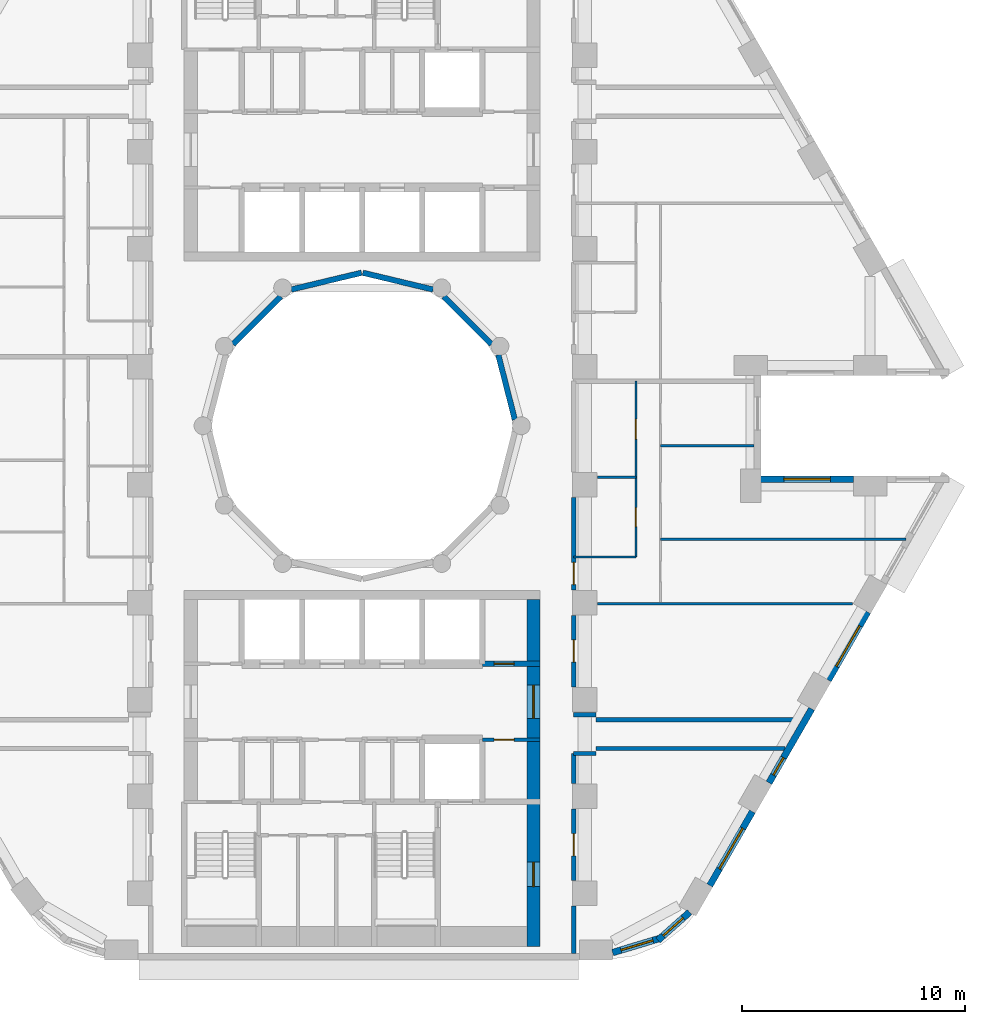
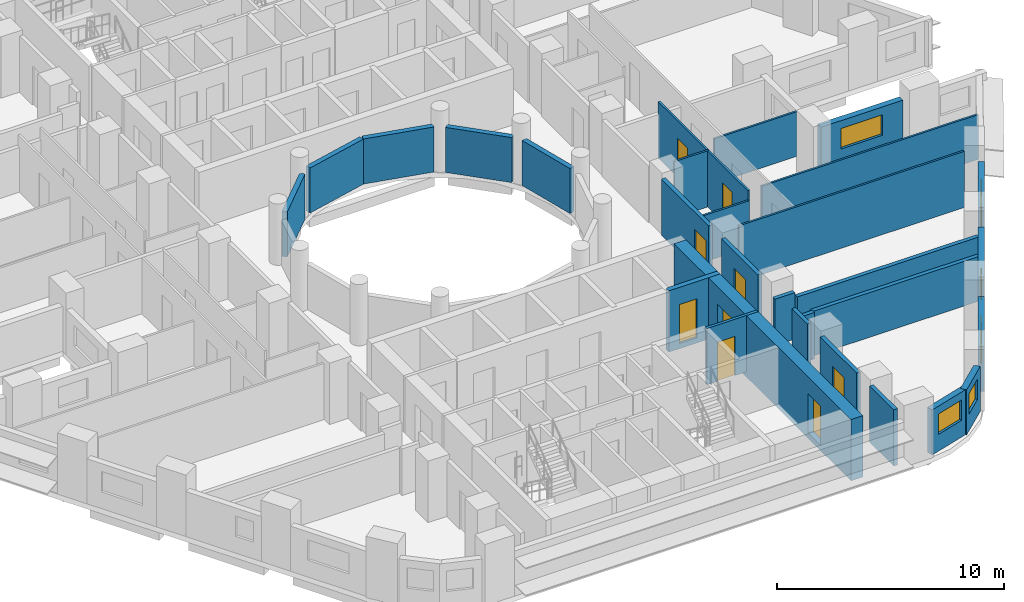
# One storey, part 5 of 13: 29 walls, 9 doors, 6 windows, 15 openings.
"""IFC4 building model written with IfcOpenShell, lengths in metres."""

from ifc_helpers import new_model, si_unit, direction, frame, frame_2d, origin, place, context, subcontext, project, spatial, rectangle, extrude, material, layer, layer_set, type_object, element, fill, save


model = new_model("IFC4")

# Units and contexts
model_context = context("Model", 3, precision=1e-05, world=origin(), true_north=direction((0.0, 1.0)))
body_context = subcontext(model_context, "Body", "Model", "MODEL_VIEW")
ifc_project = project(units=[si_unit("LENGTHUNIT", "METRE"), si_unit("AREAUNIT", "SQUARE_METRE"), si_unit("VOLUMEUNIT", "CUBIC_METRE"), si_unit("PLANEANGLEUNIT", "RADIAN"), si_unit("MASSUNIT", "GRAM", prefix="KILO")], contexts=[model_context])

# Site, building, storey
site_placement = place(None, origin())
site = spatial("IfcSite", under=ifc_project, at=site_placement, CompositionType="ELEMENT")
building_placement = place(site_placement, origin())
building = spatial("IfcBuilding", under=site, at=building_placement, Name="Nakaniwa Court", CompositionType="ELEMENT")
storey_placement = place(building_placement, frame((0.0, 0.0, 44.699951171875)))
storey = spatial("IfcBuildingStorey", under=building, at=storey_placement, Name="L11", CompositionType="ELEMENT", Elevation=44.699951171875)

# Wall
ifc_material_1 = material(Name="Acoustic double stud partition")
ifc_layer_1 = layer(ifc_material_1, 0.199951171875)
ifc_layer_set_1 = layer_set([ifc_layer_1], Name="Acoustic double stud partition")
wall_type_1 = type_object("IfcWallType", Name="Acoustic double stud partition 200", PredefinedType="PARTITIONING", material=ifc_layer_set_1)
wall_1_placement = place(storey_placement, frame((89.5, 56.300048828125, 0.0), z_axis=(0.0, 0.0, 1.0), x_axis=(0.0, 1.0, 0.0)))
element("IfcWall", 1, at=wall_1_placement, inside=storey, type_object=wall_type_1, Name="Partition PW-073", PredefinedType="PARTITIONING", context=body_context, shape_type="SweptSolid", body=[
    extrude(rectangle(XDim=2.133056640625, YDim=0.199951171875, at=frame_2d((1.06640625, 0.0))), origin(), (0.0, 0.0, 1.0), 3.025146484375),
])

# Wall, opening, door
wall_2_placement = place(storey_placement, frame((89.5, 62.782958984375, 0.0), z_axis=(0.0, 0.0, 1.0), x_axis=(0.0, -1.0, 0.0)))
wall_2 = element("IfcWall", 2, at=wall_2_placement, inside=storey, type_object=wall_type_1, Name="Partition PW-074", PredefinedType="PARTITIONING", context=body_context, shape_type="SweptSolid", body=[
    extrude(rectangle(XDim=3.216064453125, YDim=0.199951171875, at=frame_2d((1.60791015625, 0.0))), origin(), (0.0, 0.0, 1.0), 3.025146484375),
])
opening_1_placement = place(wall_2_placement, frame((1.10791015625, 0.0, 0.0)))
opening_1 = element("IfcOpeningElement", 3, at=opening_1_placement, cuts=wall_2, Name="Opening D-02-01", PredefinedType="OPENING", context=body_context, shape_type="SweptSolid", body=[
    extrude(rectangle(XDim=1.0, YDim=2.10009765625, at=frame_2d((0.5, 1.050048828125))), frame((0.0, 0.10986328125, 0.0), z_axis=(0.0, -1.0, 0.0), x_axis=(1.0, 0.0, 0.0)), (0.0, 0.0, 1.0), 0.219970703125),
])
ifc_material_2 = material(Name="Solid core timber door set, black veneer", Category="wood")
door_type_1 = type_object("IfcDoorType", Name="Internal door 1000", OperationType="NOTDEFINED", PredefinedType="DOOR", material=ifc_material_2)
door_1_placement = place(opening_1_placement, origin())
door_1 = element("IfcDoor", 4, at=door_1_placement, inside=storey, type_object=door_type_1, Name="Door D-02-01 L11-031", OperationType="SINGLE_SWING_RIGHT", OverallHeight=2.10009765625, OverallWidth=1.0, PredefinedType="DOOR", context=body_context, shape_type="SweptSolid", body=[
    extrude(rectangle(XDim=1.0, YDim=2.10009765625, at=frame_2d((0.5, 1.050048828125))), frame((0.0, 0.02490234375, 0.0), z_axis=(0.0, -1.0, 0.0), x_axis=(1.0, 0.0, 0.0)), (0.0, 0.0, 1.0), 0.050048828125),
])
fill(opening_1, door_1)

# Wall
wall_3_placement = place(storey_placement, frame((89.5, 63.9169921875, 0.0), z_axis=(0.0, 0.0, 1.0), x_axis=(0.0, 1.0, 0.0)))
element("IfcWall", 5, at=wall_3_placement, inside=storey, type_object=wall_type_1, Name="Partition PW-075", PredefinedType="PARTITIONING", context=body_context, shape_type="SweptSolid", body=[
    extrude(rectangle(XDim=1.361083984375, YDim=0.199951171875, at=frame_2d((0.6806640625, 0.0))), origin(), (0.0, 0.0, 1.0), 3.025146484375),
])

# Wall, opening, door
wall_4_placement = place(storey_placement, frame((89.5, 71.48291015625, 0.0), z_axis=(0.0, 0.0, 1.0), x_axis=(0.0, -1.0, 0.0)))
wall_4 = element("IfcWall", 6, at=wall_4_placement, inside=storey, type_object=wall_type_1, Name="Partition PW-076", PredefinedType="PARTITIONING", context=body_context, shape_type="SweptSolid", body=[
    extrude(rectangle(XDim=3.2158203125, YDim=0.199951171875, at=frame_2d((1.60791015625, 0.0))), origin(), (0.0, 0.0, 1.0), 3.025146484375),
])
opening_2_placement = place(wall_4_placement, frame((1.10791015625, 0.0, 0.0)))
opening_2 = element("IfcOpeningElement", 7, at=opening_2_placement, cuts=wall_4, Name="Opening D-02-05", PredefinedType="OPENING", context=body_context, shape_type="SweptSolid", body=[
    extrude(rectangle(XDim=1.0, YDim=2.10009765625, at=frame_2d((0.5, 1.050048828125))), frame((0.0, 0.10986328125, 0.0), z_axis=(0.0, -1.0, 0.0), x_axis=(1.0, 0.0, 0.0)), (0.0, 0.0, 1.0), 0.219970703125),
])
door_2_placement = place(opening_2_placement, origin())
door_2 = element("IfcDoor", 8, at=door_2_placement, inside=storey, type_object=door_type_1, Name="Door D-02-05 L11-057", OperationType="SINGLE_SWING_RIGHT", OverallHeight=2.10009765625, OverallWidth=1.0, PredefinedType="DOOR", context=body_context, shape_type="SweptSolid", body=[
    extrude(rectangle(XDim=1.0, YDim=2.10009765625, at=frame_2d((0.5, 1.050048828125))), frame((0.0, 0.02490234375, 0.0), z_axis=(0.0, -1.0, 0.0), x_axis=(1.0, 0.0, 0.0)), (0.0, 0.0, 1.0), 0.050048828125),
])
fill(opening_2, door_2)

wall_5_placement = place(storey_placement, frame((89.5, 76.782958984375, 0.0), z_axis=(0.0, 0.0, 1.0), x_axis=(0.0, -1.0, 0.0)))
wall_5 = element("IfcWall", 9, at=wall_5_placement, inside=storey, type_object=wall_type_1, Name="Partition PW-077", PredefinedType="PARTITIONING", context=body_context, shape_type="SweptSolid", body=[
    extrude(rectangle(XDim=4.166015625, YDim=0.199951171875, at=frame_2d((2.0830078125, 0.0))), origin(), (0.0, 0.0, 1.0), 3.025146484375),
])
opening_3_placement = place(wall_5_placement, frame((2.923095703125, 0.0, 0.0)))
opening_3 = element("IfcOpeningElement", 10, at=opening_3_placement, cuts=wall_5, Name="Opening D-01-01", PredefinedType="OPENING", context=body_context, shape_type="SweptSolid", body=[
    extrude(rectangle(XDim=1.0, YDim=2.10009765625, at=frame_2d((0.5, 1.050048828125))), frame((0.0, 0.10986328125, 0.0), z_axis=(0.0, -1.0, 0.0), x_axis=(1.0, 0.0, 0.0)), (0.0, 0.0, 1.0), 0.219970703125),
])
door_type_2 = type_object("IfcDoorType", Name="Flat entrance door 1000", OperationType="NOTDEFINED", PredefinedType="DOOR", material=ifc_material_2)
door_3_placement = place(opening_3_placement, origin())
door_3 = element("IfcDoor", 11, at=door_3_placement, inside=storey, type_object=door_type_2, Name="Door D-01-01 L11-032", OperationType="SINGLE_SWING_LEFT", OverallHeight=2.10009765625, OverallWidth=1.0, PredefinedType="DOOR", context=body_context, shape_type="SweptSolid", body=[
    extrude(rectangle(XDim=1.0, YDim=2.10009765625, at=frame_2d((0.5, 1.050048828125))), frame((0.0, 0.02490234375, 0.0), z_axis=(0.0, -1.0, 0.0), x_axis=(1.0, 0.0, 0.0)), (0.0, 0.0, 1.0), 0.050048828125),
])
fill(opening_3, door_3)

# Walls
wall_6_placement = place(storey_placement, frame((90.5, 65.5, 0.0), z_axis=(0.0, 0.0, 1.0), x_axis=(1.0, 0.0, 0.0)))
element("IfcWall", 12, at=wall_6_placement, inside=storey, type_object=wall_type_1, Name="Partition PW-094", PredefinedType="PARTITIONING", context=body_context, shape_type="SweptSolid", body=[
    extrude(rectangle(XDim=8.494873046875, YDim=0.199951171875, at=frame_2d((4.24755859375, 0.0))), origin(), (0.0, 0.0, 1.0), 2.405029296875),
])
for number, where, z_axis, x_axis, name in (
    (13, (89.5, 65.27490234375, 0.0), (0.0, 0.0, 1.0), (1.0, 0.0, 0.0), "Partition PW-096"),
    (14, (89.5, 67.02490234375, 0.0), (0.0, 0.0, 1.0), (1.0, 0.0, 0.0), "Partition PW-098"),
):
    element("IfcWall", number, at=place(storey_placement, frame(where, z_axis=z_axis, x_axis=x_axis)), inside=storey, type_object=wall_type_1, Name=name, PredefinedType="PARTITIONING", context=body_context, shape_type="SweptSolid", body=[
        extrude(rectangle(XDim=1.0, YDim=0.199951171875, at=frame_2d((0.5, 0.0))), origin(), (0.0, 0.0, 1.0), 2.505126953125),
    ])
wall_7_placement = place(storey_placement, frame((90.5, 66.800048828125, 0.0), z_axis=(0.0, 0.0, 1.0), x_axis=(1.0, 0.0, 0.0)))
element("IfcWall", 15, at=wall_7_placement, inside=storey, type_object=wall_type_1, Name="Partition PW-100", PredefinedType="PARTITIONING", context=body_context, shape_type="SweptSolid", body=[
    extrude(rectangle(XDim=9.245361328125, YDim=0.199951171875, at=frame_2d((4.62255859375, 0.0))), origin(), (0.0, 0.0, 1.0), 2.405029296875),
])

# Wall, opening, window
ifc_material_3 = material(Name="Charcoal ceramic cladding")
ifc_layer_2 = layer(ifc_material_3, 0.02, Name="Ceramic cladding")
ifc_material_4 = material(Name="Ventilated air cavity")
ifc_layer_3 = layer(ifc_material_4, 0.04, ventilated=True, Name="Ventilated cavity")
ifc_material_5 = material(Name="Mineral wool insulation")
ifc_layer_4 = layer(ifc_material_5, 0.1, Name="Insulation")
ifc_material_6 = material(Name="Cement bonded sheathing board")
ifc_layer_5 = layer(ifc_material_6, 0.012, Name="Sheathing")
ifc_material_7 = material(Name="Cold-formed galvanised stud frame with mineral wool infill")
ifc_layer_6 = layer(ifc_material_7, 0.1, Name="Stud frame")
ifc_material_8 = material(Name="Fire-rated gypsum plasterboard lining")
ifc_layer_7 = layer(ifc_material_8, 0.028, Name="Lining")
ifc_layer_set_2 = layer_set([ifc_layer_2, ifc_layer_3, ifc_layer_4, ifc_layer_5, ifc_layer_6, ifc_layer_7], Name="Charcoal ceramic faced external wall system")
wall_type_2 = type_object("IfcWallType", Name="Black ceramic faced external wall 300", PredefinedType="SOLIDWALL", material=ifc_layer_set_2)
wall_8_placement = place(storey_placement, frame((91.25341796875, 56.331298828125, 0.0), z_axis=(0.0, 0.0, 1.0), x_axis=(0.957433631901, 0.288653495569, 0.0)))
wall_8 = element("IfcWall", 16, at=wall_8_placement, inside=storey, type_object=wall_type_2, Name="L11 external wall 27", PredefinedType="SOLIDWALL", context=body_context, shape_type="SweptSolid", body=[
    extrude(rectangle(XDim=2.212646484375, YDim=0.300048828125, at=frame_2d((1.1064453125, 0.0))), origin(), (0.0, 0.0, 1.0), 2.425048828125),
])
opening_4_placement = place(wall_8_placement, frame((0.394287109375, 0.0, 0.89990234375)))
opening_4 = element("IfcOpeningElement", 17, at=opening_4_placement, cuts=wall_8, Name="Opening W5.26", PredefinedType="OPENING", context=body_context, shape_type="SweptSolid", body=[
    extrude(rectangle(XDim=1.5, YDim=1.10009765625, at=frame_2d((0.75, 0.550048828125))), frame((0.0, 0.159912109375, 0.0), z_axis=(0.0, -1.0, 0.0), x_axis=(1.0, 0.0, 0.0)), (0.0, 0.0, 1.0), 0.320068359375),
])
ifc_material_9 = material(Name="Black anodised aluminium frame with dark low-E laminated double glazing", Category="aluminium")
window_type_1 = type_object("IfcWindowType", Name="Dark glass window 1500x1100 sill 900", PartitioningType="SINGLE_PANEL", PredefinedType="WINDOW", material=ifc_material_9)
window_1_placement = place(opening_4_placement, origin())
window_1 = element("IfcWindow", 18, at=window_1_placement, inside=storey, type_object=window_type_1, Name="L11 habitable room window 27-0", OverallHeight=1.10009765625, OverallWidth=1.5, PartitioningType="SINGLE_PANEL", PredefinedType="WINDOW", context=body_context, shape_type="SweptSolid", body=[
    extrude(rectangle(XDim=1.5, YDim=1.10009765625, at=frame_2d((0.75, 0.550048828125))), frame((0.0, 0.030029296875, 0.0), z_axis=(0.0, -1.0, 0.0), x_axis=(1.0, 0.0, 0.0)), (0.0, 0.0, 1.0), 0.06005859375),
])
fill(opening_4, window_1)

wall_9_placement = place(storey_placement, frame((93.288818359375, 56.882568359375, 0.0), z_axis=(0.0, 0.0, 1.0), x_axis=(0.746941556212, 0.664889698825, 0.0)))
wall_9 = element("IfcWall", 19, at=wall_9_placement, inside=storey, type_object=wall_type_2, Name="L11 external wall 28", PredefinedType="SOLIDWALL", context=body_context, shape_type="SweptSolid", body=[
    extrude(rectangle(XDim=1.9013671875, YDim=0.300048828125, at=frame_2d((0.95068359375, 0.0))), origin(), (0.0, 0.0, 1.0), 2.425048828125),
])
opening_5_placement = place(wall_9_placement, frame((0.31005859375, 0.0, 0.89990234375)))
opening_5 = element("IfcOpeningElement", 20, at=opening_5_placement, cuts=wall_9, Name="Opening W6.27", PredefinedType="OPENING", context=body_context, shape_type="SweptSolid", body=[
    extrude(rectangle(XDim=1.199951171875, YDim=1.10009765625, at=frame_2d((0.60009765625, 0.550048828125))), frame((0.0, 0.159912109375, 0.0), z_axis=(0.0, -1.0, 0.0), x_axis=(1.0, 0.0, 0.0)), (0.0, 0.0, 1.0), 0.320068359375),
])
window_type_2 = type_object("IfcWindowType", Name="Dark glass window 1200x1100 sill 900", PartitioningType="SINGLE_PANEL", PredefinedType="WINDOW", material=ifc_material_9)
window_2_placement = place(opening_5_placement, origin())
window_2 = element("IfcWindow", 21, at=window_2_placement, inside=storey, type_object=window_type_2, Name="L11 habitable room window 28-0", OverallHeight=1.10009765625, OverallWidth=1.199951171875, PartitioningType="SINGLE_PANEL", PredefinedType="WINDOW", context=body_context, shape_type="SweptSolid", body=[
    extrude(rectangle(XDim=1.199951171875, YDim=1.10009765625, at=frame_2d((0.60009765625, 0.550048828125))), frame((0.0, 0.030029296875, 0.0), z_axis=(0.0, -1.0, 0.0), x_axis=(1.0, 0.0, 0.0)), (0.0, 0.0, 1.0), 0.06005859375),
])
fill(opening_5, window_2)

wall_10_placement = place(storey_placement, frame((95.615234375, 59.346435546875, 0.0), z_axis=(0.0, 0.0, 1.0), x_axis=(0.499974163209, 0.866040320149, 0.0)))
wall_10 = element("IfcWall", 22, at=wall_10_placement, inside=storey, type_object=wall_type_2, Name="L11 external wall 29", PredefinedType="SOLIDWALL", context=body_context, shape_type="SweptSolid", body=[
    extrude(rectangle(XDim=3.834228515625, YDim=0.300048828125, at=frame_2d((1.9169921875, 0.0))), origin(), (0.0, 0.0, 1.0), 2.425048828125),
])
opening_6_placement = place(wall_10_placement, frame((0.8671875, 0.0, 0.89990234375)))
opening_6 = element("IfcOpeningElement", 23, at=opening_6_placement, cuts=wall_10, Name="Opening W7.28", PredefinedType="OPENING", context=body_context, shape_type="SweptSolid", body=[
    extrude(rectangle(XDim=2.10009765625, YDim=1.10009765625, at=frame_2d((1.050048828125, 0.550048828125))), frame((0.0, 0.159912109375, 0.0), z_axis=(0.0, -1.0, 0.0), x_axis=(1.0, 0.0, 0.0)), (0.0, 0.0, 1.0), 0.320068359375),
])
window_type_3 = type_object("IfcWindowType", Name="Dark glass window 2100x1100 sill 900", PartitioningType="SINGLE_PANEL", PredefinedType="WINDOW", material=ifc_material_9)
window_3_placement = place(opening_6_placement, origin())
window_3 = element("IfcWindow", 24, at=window_3_placement, inside=storey, type_object=window_type_3, Name="L11 habitable room window 29-0", OverallHeight=1.10009765625, OverallWidth=2.10009765625, PartitioningType="SINGLE_PANEL", PredefinedType="WINDOW", context=body_context, shape_type="SweptSolid", body=[
    extrude(rectangle(XDim=2.10009765625, YDim=1.10009765625, at=frame_2d((1.050048828125, 0.550048828125))), frame((0.0, 0.030029296875, 0.0), z_axis=(0.0, -1.0, 0.0), x_axis=(1.0, 0.0, 0.0)), (0.0, 0.0, 1.0), 0.06005859375),
])
fill(opening_6, window_3)

wall_11_placement = place(storey_placement, frame((98.2783203125, 63.958984375, 0.0), z_axis=(0.0, 0.0, 1.0), x_axis=(0.500001735503, 0.866024401789, 0.0)))
wall_11 = element("IfcWall", 25, at=wall_11_placement, inside=storey, type_object=wall_type_2, Name="L11 external wall 30", PredefinedType="SOLIDWALL", context=body_context, shape_type="SweptSolid", body=[
    extrude(rectangle(XDim=3.833984375, YDim=0.300048828125, at=frame_2d((1.9169921875, 0.0))), origin(), (0.0, 0.0, 1.0), 2.425048828125),
])
opening_7_placement = place(wall_11_placement, frame((0.402587890625, 0.0, 0.89990234375)))
opening_7 = element("IfcOpeningElement", 26, at=opening_7_placement, cuts=wall_11, Name="Opening W9.29", PredefinedType="OPENING", context=body_context, shape_type="SweptSolid", body=[
    extrude(rectangle(XDim=0.89990234375, YDim=1.10009765625, at=frame_2d((0.449951171875, 0.550048828125))), frame((0.0, 0.159912109375, 0.0), z_axis=(0.0, -1.0, 0.0), x_axis=(1.0, 0.0, 0.0)), (0.0, 0.0, 1.0), 0.320068359375),
])
window_type_4 = type_object("IfcWindowType", Name="Dark glass window 900x1100 sill 900", PartitioningType="SINGLE_PANEL", PredefinedType="WINDOW", material=ifc_material_9)
window_4_placement = place(opening_7_placement, origin())
window_4 = element("IfcWindow", 27, at=window_4_placement, inside=storey, type_object=window_type_4, Name="L11 habitable room window 30-0", OverallHeight=1.10009765625, OverallWidth=0.89990234375, PartitioningType="SINGLE_PANEL", PredefinedType="WINDOW", context=body_context, shape_type="SweptSolid", body=[
    extrude(rectangle(XDim=0.89990234375, YDim=1.10009765625, at=frame_2d((0.449951171875, 0.550048828125))), frame((0.0, 0.030029296875, 0.0), z_axis=(0.0, -1.0, 0.0), x_axis=(1.0, 0.0, 0.0)), (0.0, 0.0, 1.0), 0.06005859375),
])
fill(opening_7, window_4)

wall_12_placement = place(storey_placement, frame((100.94140625, 68.5712890625, 0.0), z_axis=(0.0, 0.0, 1.0), x_axis=(0.499977402622, 0.866038449993, 0.0)))
wall_12 = element("IfcWall", 28, at=wall_12_placement, inside=storey, type_object=wall_type_2, Name="L11 external wall 31", PredefinedType="SOLIDWALL", context=body_context, shape_type="SweptSolid", body=[
    extrude(rectangle(XDim=3.536865234375, YDim=0.300048828125, at=frame_2d((1.7685546875, 0.0))), origin(), (0.0, 0.0, 1.0), 2.425048828125),
])
opening_8_placement = place(wall_12_placement, frame((0.718505859375, 0.0, 0.89990234375)))
opening_8 = element("IfcOpeningElement", 29, at=opening_8_placement, cuts=wall_12, Name="Opening W7.30", PredefinedType="OPENING", context=body_context, shape_type="SweptSolid", body=[
    extrude(rectangle(XDim=2.10009765625, YDim=1.10009765625, at=frame_2d((1.050048828125, 0.550048828125))), frame((0.0, 0.159912109375, 0.0), z_axis=(0.0, -1.0, 0.0), x_axis=(1.0, 0.0, 0.0)), (0.0, 0.0, 1.0), 0.320068359375),
])
window_5_placement = place(opening_8_placement, origin())
window_5 = element("IfcWindow", 30, at=window_5_placement, inside=storey, type_object=window_type_3, Name="L11 habitable room window 31-0", OverallHeight=1.10009765625, OverallWidth=2.10009765625, PartitioningType="SINGLE_PANEL", PredefinedType="WINDOW", context=body_context, shape_type="SweptSolid", body=[
    extrude(rectangle(XDim=2.10009765625, YDim=1.10009765625, at=frame_2d((1.050048828125, 0.550048828125))), frame((0.0, 0.030029296875, 0.0), z_axis=(0.0, -1.0, 0.0), x_axis=(1.0, 0.0, 0.0)), (0.0, 0.0, 1.0), 0.06005859375),
])
fill(opening_8, window_5)

wall_13_placement = place(storey_placement, frame((102.076904296875, 77.60009765625, 0.0), z_axis=(0.0, 0.0, 1.0), x_axis=(-1.0, 0.0, 0.0)))
wall_13 = element("IfcWall", 31, at=wall_13_placement, inside=storey, type_object=wall_type_2, Name="L11 external wall 34", PredefinedType="SOLIDWALL", context=body_context, shape_type="SweptSolid", body=[
    extrude(rectangle(XDim=4.172607421875, YDim=0.300048828125, at=frame_2d((2.08642578125, 0.0))), origin(), (0.0, 0.0, 1.0), 2.425048828125),
])
opening_9_placement = place(wall_13_placement, frame((1.036376953125, 0.0, 0.89990234375)))
opening_9 = element("IfcOpeningElement", 32, at=opening_9_placement, cuts=wall_13, Name="Opening W7.34", PredefinedType="OPENING", context=body_context, shape_type="SweptSolid", body=[
    extrude(rectangle(XDim=2.10009765625, YDim=1.10009765625, at=frame_2d((1.050048828125, 0.550048828125))), frame((0.0, 0.159912109375, 0.0), z_axis=(0.0, -1.0, 0.0), x_axis=(1.0, 0.0, 0.0)), (0.0, 0.0, 1.0), 0.320068359375),
])
window_6_placement = place(opening_9_placement, origin())
window_6 = element("IfcWindow", 33, at=window_6_placement, inside=storey, type_object=window_type_3, Name="L11 living window 34-0", OverallHeight=1.10009765625, OverallWidth=2.10009765625, PartitioningType="SINGLE_PANEL", PredefinedType="WINDOW", context=body_context, shape_type="SweptSolid", body=[
    extrude(rectangle(XDim=2.10009765625, YDim=1.10009765625, at=frame_2d((1.050048828125, 0.550048828125))), frame((0.0, 0.030029296875, 0.0), z_axis=(0.0, -1.0, 0.0), x_axis=(1.0, 0.0, 0.0)), (0.0, 0.0, 1.0), 0.06005859375),
])
fill(opening_9, window_6)

# Wall, opening, door
ifc_material_10 = material(Name="Blockwork partition", Category="masonry")
ifc_layer_8 = layer(ifc_material_10, 0.14990234375)
ifc_layer_set_3 = layer_set([ifc_layer_8], Name="Blockwork partition")
wall_type_3 = type_object("IfcWallType", Name="Blockwork partition 150", PredefinedType="PARTITIONING", material=ifc_layer_set_3)
wall_14_placement = place(storey_placement, frame((88.0, 65.89990234375, 0.0), z_axis=(0.0, 0.0, 1.0), x_axis=(-1.0, 0.0, 0.0)))
wall_14 = element("IfcWall", 34, at=wall_14_placement, inside=storey, type_object=wall_type_3, Name="Partition PW-054", PredefinedType="PARTITIONING", context=body_context, shape_type="SweptSolid", body=[
    extrude(rectangle(XDim=2.60302734375, YDim=0.14990234375, at=frame_2d((1.301513671875, 0.0))), origin(), (0.0, 0.0, 1.0), 3.025146484375),
])
opening_10_placement = place(wall_14_placement, frame((1.175048828125, 0.0, 0.0)))
opening_10 = element("IfcOpeningElement", 35, at=opening_10_placement, cuts=wall_14, Name="Opening D-05-17", PredefinedType="OPENING", context=body_context, shape_type="SweptSolid", body=[
    extrude(rectangle(XDim=0.89990234375, YDim=2.10009765625, at=frame_2d((0.449951171875, 1.050048828125))), frame((0.0, 0.0849609375, 0.0), z_axis=(0.0, -1.0, 0.0), x_axis=(1.0, 0.0, 0.0)), (0.0, 0.0, 1.0), 0.169921875),
])
ifc_material_11 = material(Name="Fire rated steel door set", Category="steel")
door_type_3 = type_object("IfcDoorType", Name="Service room door 900", OperationType="NOTDEFINED", PredefinedType="DOOR", material=ifc_material_11)
door_4_placement = place(opening_10_placement, origin())
door_4 = element("IfcDoor", 36, at=door_4_placement, inside=storey, type_object=door_type_3, Name="Door D-05-17 L11-024", OperationType="SINGLE_SWING_LEFT", OverallHeight=2.10009765625, OverallWidth=0.89990234375, PredefinedType="DOOR", context=body_context, shape_type="SweptSolid", body=[
    extrude(rectangle(XDim=0.89990234375, YDim=2.10009765625, at=frame_2d((0.449951171875, 1.050048828125))), frame((0.0, 0.02490234375, 0.0), z_axis=(0.0, -1.0, 0.0), x_axis=(1.0, 0.0, 0.0)), (0.0, 0.0, 1.0), 0.050048828125),
])
fill(opening_10, door_4)

# Walls
ifc_layer_9 = layer(ifc_material_3, 0.02, Name="Ceramic cladding")
ifc_layer_10 = layer(ifc_material_4, 0.04, ventilated=True, Name="Ventilated cavity")
ifc_layer_11 = layer(ifc_material_5, 0.075, Name="Insulation")
ifc_layer_12 = layer(ifc_material_6, 0.012, Name="Sheathing")
ifc_layer_13 = layer(ifc_material_7, 0.075, Name="Stud frame")
ifc_layer_14 = layer(ifc_material_8, 0.028, Name="Lining")
ifc_layer_set_4 = layer_set([ifc_layer_9, ifc_layer_10, ifc_layer_11, ifc_layer_12, ifc_layer_13, ifc_layer_14], Name="Charcoal ceramic faced external wall system")
wall_type_4 = type_object("IfcWallType", Name="Charcoal ceramic faced well wall 250", PredefinedType="SOLIDWALL", material=ifc_layer_set_4)
wall_15_placement = place(storey_placement, frame((74.1943359375, 83.660888671875, 0.0), z_axis=(0.0, 0.0, 1.0), x_axis=(0.707106781187, 0.707106781187, 0.0)))
element("IfcWall", 37, at=wall_15_placement, inside=storey, type_object=wall_type_4, Name="L11 external wall 43", PredefinedType="SOLIDWALL", context=body_context, shape_type="SweptSolid", body=[
    extrude(rectangle(XDim=3.033203125, YDim=0.25, at=frame_2d((1.5166015625, 0.0))), origin(), (0.0, 0.0, 1.0), 2.425048828125),
])
for number, where, z_axis, x_axis, name in (
    (38, (76.813720703125, 86.119384765625, 0.0), (0.0, 0.0, 1.0), (0.972773113459, 0.231759508395, 0.0), "L11 external wall 44"),
    (39, (80.029052734375, 86.87158203125, 0.0), (0.0, 0.0, 1.0), (0.972773113459, -0.231759508395, 0.0), "L11 external wall 45"),
):
    element("IfcWall", number, at=place(storey_placement, frame(where, z_axis=z_axis, x_axis=x_axis)), inside=storey, type_object=wall_type_4, Name=name, PredefinedType="SOLIDWALL", context=body_context, shape_type="SweptSolid", body=[
        extrude(rectangle(XDim=3.24560546875, YDim=0.25, at=frame_2d((1.622802734375, 0.0))), origin(), (0.0, 0.0, 1.0), 2.425048828125),
    ])
wall_16_placement = place(storey_placement, frame((83.660888671875, 85.8056640625, 0.0), z_axis=(0.0, 0.0, 1.0), x_axis=(0.707106781187, -0.707106781187, 0.0)))
element("IfcWall", 40, at=wall_16_placement, inside=storey, type_object=wall_type_4, Name="L11 external wall 46", PredefinedType="SOLIDWALL", context=body_context, shape_type="SweptSolid", body=[
    extrude(rectangle(XDim=3.033203125, YDim=0.25, at=frame_2d((1.5166015625, 0.0))), origin(), (0.0, 0.0, 1.0), 2.425048828125),
])
wall_17_placement = place(storey_placement, frame((86.11669921875, 83.186767578125, 0.0), z_axis=(0.0, 0.0, 1.0), x_axis=(0.247055971283, -0.969001211069, 0.0)))
element("IfcWall", 41, at=wall_17_placement, inside=storey, type_object=wall_type_4, Name="L11 external wall 47", PredefinedType="SOLIDWALL", context=body_context, shape_type="SweptSolid", body=[
    extrude(rectangle(XDim=3.010009765625, YDim=0.25, at=frame_2d((1.5048828125, 0.0))), origin(), (0.0, 0.0, 1.0), 2.425048828125),
])

# Wall, openings, doors
ifc_material_12 = material(Name="Concrete C100/115", Category="concrete")
ifc_layer_15 = layer(ifc_material_12, 0.60009765625)
ifc_layer_set_5 = layer_set([ifc_layer_15], Name="Concrete C100/115")
wall_type_5 = type_object("IfcWallType", Name="Concrete core side wall 600 C100", PredefinedType="SHEAR", material=ifc_layer_set_5)
wall_18_placement = place(storey_placement, frame((87.699951171875, 72.199951171875, -0.27490234375), z_axis=(0.0, 0.0, 1.0), x_axis=(0.0, -1.0, 0.0)))
wall_18 = element("IfcWall", 42, at=wall_18_placement, inside=storey, type_object=wall_type_5, Name="Core wall SW-51", PredefinedType="SHEAR", context=body_context, shape_type="SweptSolid", body=[
    extrude(rectangle(XDim=15.599853515625, YDim=0.60009765625, at=frame_2d((7.7998046875, 0.0))), origin(), (0.0, 0.0, 1.0), 3.300048828125),
])
opening_11_placement = place(wall_18_placement, frame((3.85009765625, 0.0, 0.27490234375)))
opening_11 = element("IfcOpeningElement", 43, at=opening_11_placement, cuts=wall_18, Name="Opening D-07-03", PredefinedType="OPENING", context=body_context, shape_type="SweptSolid", body=[
    extrude(rectangle(XDim=1.5, YDim=2.10009765625, at=frame_2d((0.75, 1.050048828125))), frame((0.0, 0.31005859375, 0.0), z_axis=(0.0, -1.0, 0.0), x_axis=(1.0, 0.0, 0.0)), (0.0, 0.0, 1.0), 0.6201171875),
])
opening_12_placement = place(wall_18_placement, frame((11.800048828125, 0.0, 0.27490234375)))
opening_12 = element("IfcOpeningElement", 44, at=opening_12_placement, cuts=wall_18, Name="Opening D-10-02", PredefinedType="OPENING", context=body_context, shape_type="SweptSolid", body=[
    extrude(rectangle(XDim=1.10009765625, YDim=2.10009765625, at=frame_2d((0.550048828125, 1.050048828125))), frame((0.0, 0.31005859375, 0.0), z_axis=(0.0, -1.0, 0.0), x_axis=(1.0, 0.0, 0.0)), (0.0, 0.0, 1.0), 0.6201171875),
])
door_type_4 = type_object("IfcDoorType", Name="Firefighting lobby door 1100", OperationType="NOTDEFINED", PredefinedType="DOOR", material=ifc_material_11)
door_5_placement = place(opening_12_placement, origin())
door_5 = element("IfcDoor", 45, at=door_5_placement, inside=storey, type_object=door_type_4, Name="Door D-10-02 L11-065", OperationType="SINGLE_SWING_RIGHT", OverallHeight=2.10009765625, OverallWidth=1.10009765625, PredefinedType="DOOR", context=body_context, shape_type="SweptSolid", body=[
    extrude(rectangle(XDim=1.10009765625, YDim=2.10009765625, at=frame_2d((0.550048828125, 1.050048828125))), frame((0.0, 0.02490234375, 0.0), z_axis=(0.0, -1.0, 0.0), x_axis=(1.0, 0.0, 0.0)), (0.0, 0.0, 1.0), 0.050048828125),
])
fill(opening_12, door_5)
ifc_material_13 = material(Name="Glazed fire rated steel double door set", Category="steel")
door_type_5 = type_object("IfcDoorType", Name="Lobby double door 1500", OperationType="NOTDEFINED", PredefinedType="DOOR", material=ifc_material_13)
door_6_placement = place(opening_11_placement, origin())
door_6 = element("IfcDoor", 46, at=door_6_placement, inside=storey, type_object=door_type_5, Name="Door D-07-03 L11-063", OperationType="DOUBLE_DOOR_SINGLE_SWING", OverallHeight=2.10009765625, OverallWidth=1.5, PredefinedType="DOOR", context=body_context, shape_type="SweptSolid", body=[
    extrude(rectangle(XDim=1.5, YDim=2.10009765625, at=frame_2d((0.75, 1.050048828125))), frame((0.0, 0.02490234375, 0.0), z_axis=(0.0, -1.0, 0.0), x_axis=(1.0, 0.0, 0.0)), (0.0, 0.0, 1.0), 0.050048828125),
])
fill(opening_11, door_6)

# Wall, opening, door
ifc_layer_16 = layer(ifc_material_12, 0.25)
ifc_layer_set_6 = layer_set([ifc_layer_16], Name="Concrete C100/115")
wall_type_6 = type_object("IfcWallType", Name="Concrete shaft wall 250 C100", PredefinedType="SHEAR", material=ifc_layer_set_6)
wall_19_placement = place(storey_placement, frame((85.39990234375, 69.300048828125, -0.27490234375), z_axis=(0.0, 0.0, 1.0), x_axis=(1.0, 0.0, 0.0)))
wall_19 = element("IfcWall", 47, at=wall_19_placement, inside=storey, type_object=wall_type_6, Name="Core wall SW-50", PredefinedType="SHEAR", context=body_context, shape_type="SweptSolid", body=[
    extrude(rectangle(XDim=2.60009765625, YDim=0.25, at=frame_2d((1.300048828125, 0.0))), origin(), (0.0, 0.0, 1.0), 3.300048828125),
])
opening_13_placement = place(wall_19_placement, frame((0.52490234375, 0.0, 0.27490234375)))
opening_13 = element("IfcOpeningElement", 48, at=opening_13_placement, cuts=wall_19, Name="Opening D-05-12", PredefinedType="OPENING", context=body_context, shape_type="SweptSolid", body=[
    extrude(rectangle(XDim=0.89990234375, YDim=2.10009765625, at=frame_2d((0.449951171875, 1.050048828125))), frame((0.0, 0.135009765625, 0.0), z_axis=(0.0, -1.0, 0.0), x_axis=(1.0, 0.0, 0.0)), (0.0, 0.0, 1.0), 0.27001953125),
])
door_7_placement = place(opening_13_placement, origin())
door_7 = element("IfcDoor", 49, at=door_7_placement, inside=storey, type_object=door_type_3, Name="Door D-05-12 L11-017", OperationType="SINGLE_SWING_RIGHT", OverallHeight=2.10009765625, OverallWidth=0.89990234375, PredefinedType="DOOR", context=body_context, shape_type="SweptSolid", body=[
    extrude(rectangle(XDim=0.89990234375, YDim=2.10009765625, at=frame_2d((0.449951171875, 1.050048828125))), frame((0.0, 0.02490234375, 0.0), z_axis=(0.0, -1.0, 0.0), x_axis=(1.0, 0.0, 0.0)), (0.0, 0.0, 1.0), 0.050048828125),
])
fill(opening_13, door_7)

# Walls
ifc_material_14 = material(Name="Single stud plasterboard partition")
ifc_layer_17 = layer(ifc_material_14, 0.10009765625)
ifc_layer_set_7 = layer_set([ifc_layer_17], Name="Single stud plasterboard partition")
wall_type_7 = type_object("IfcWallType", Name="Single stud plasterboard partition 100", PredefinedType="PARTITIONING", material=ifc_layer_set_7)
wall_20_placement = place(storey_placement, frame((90.570068359375, 77.69091796875, 0.0), z_axis=(0.0, 0.0, 1.0), x_axis=(1.0, 0.0, 0.0)))
element("IfcWall", 50, at=wall_20_placement, inside=storey, type_object=wall_type_7, Name="Partition PW-113", PredefinedType="PARTITIONING", context=body_context, shape_type="SweptSolid", body=[
    extrude(rectangle(XDim=1.72998046875, YDim=0.10009765625, at=frame_2d((0.864990234375, 0.0))), origin(), (0.0, 0.0, 1.0), 3.025146484375),
])
wall_21_placement = place(storey_placement, frame((89.5, 74.10009765625, 0.0), z_axis=(0.0, 0.0, 1.0), x_axis=(1.0, 0.0, 0.0)))
element("IfcWall", 51, at=wall_21_placement, inside=storey, type_object=wall_type_7, Name="Partition PW-115", PredefinedType="PARTITIONING", context=body_context, shape_type="SweptSolid", body=[
    extrude(rectangle(XDim=2.800048828125, YDim=0.10009765625, at=frame_2d((1.39990234375, 0.0))), origin(), (0.0, 0.0, 1.0), 2.505126953125),
])

# Wall, openings, doors
wall_22_placement = place(storey_placement, frame((92.300048828125, 74.10009765625, 0.0), z_axis=(0.0, 0.0, 1.0), x_axis=(0.0, 1.0, 0.0)))
wall_22 = element("IfcWall", 52, at=wall_22_placement, inside=storey, type_object=wall_type_7, Name="Partition PW-116", PredefinedType="PARTITIONING", context=body_context, shape_type="SweptSolid", body=[
    extrude(rectangle(XDim=7.89990234375, YDim=0.10009765625, at=frame_2d((3.949951171875, 0.0))), origin(), (0.0, 0.0, 1.0), 3.025146484375),
])
opening_14_placement = place(wall_22_placement, frame((1.3701171875, 0.0, 0.0)))
opening_14 = element("IfcOpeningElement", 53, at=opening_14_placement, cuts=wall_22, Name="Opening D-03-01", PredefinedType="OPENING", context=body_context, shape_type="SweptSolid", body=[
    extrude(rectangle(XDim=0.85009765625, YDim=2.10009765625, at=frame_2d((0.425048828125, 1.050048828125))), frame((0.0, 0.06005859375, 0.0), z_axis=(0.0, -1.0, 0.0), x_axis=(1.0, 0.0, 0.0)), (0.0, 0.0, 1.0), 0.1201171875),
])
opening_15_placement = place(wall_22_placement, frame((5.294921875, 0.0, 0.0)))
opening_15 = element("IfcOpeningElement", 54, at=opening_15_placement, cuts=wall_22, Name="Opening D-33-01", PredefinedType="OPENING", context=body_context, shape_type="SweptSolid", body=[
    extrude(rectangle(XDim=0.89990234375, YDim=2.10009765625, at=frame_2d((0.449951171875, 1.050048828125))), frame((0.0, 0.06005859375, 0.0), z_axis=(0.0, -1.0, 0.0), x_axis=(1.0, 0.0, 0.0)), (0.0, 0.0, 1.0), 0.1201171875),
])
ifc_material_15 = material(Name="Moisture sealed timber door set", Category="wood")
door_type_6 = type_object("IfcDoorType", Name="Bathroom door 850", OperationType="NOTDEFINED", PredefinedType="DOOR", material=ifc_material_15)
door_8_placement = place(opening_14_placement, origin())
door_8 = element("IfcDoor", 55, at=door_8_placement, inside=storey, type_object=door_type_6, Name="Door D-03-01 L11-033", OperationType="SINGLE_SWING_RIGHT", OverallHeight=2.10009765625, OverallWidth=0.85009765625, PredefinedType="DOOR", context=body_context, shape_type="SweptSolid", body=[
    extrude(rectangle(XDim=0.85009765625, YDim=2.10009765625, at=frame_2d((0.425048828125, 1.050048828125))), frame((0.0, 0.02490234375, 0.0), z_axis=(0.0, -1.0, 0.0), x_axis=(1.0, 0.0, 0.0)), (0.0, 0.0, 1.0), 0.050048828125),
])
fill(opening_14, door_8)
door_type_7 = type_object("IfcDoorType", Name="Internal door 900", OperationType="NOTDEFINED", PredefinedType="DOOR", material=ifc_material_2)
door_9_placement = place(opening_15_placement, origin())
door_9 = element("IfcDoor", 56, at=door_9_placement, inside=storey, type_object=door_type_7, Name="Door D-33-01 L11-034", OperationType="SINGLE_SWING_LEFT", OverallHeight=2.10009765625, OverallWidth=0.89990234375, PredefinedType="DOOR", context=body_context, shape_type="SweptSolid", body=[
    extrude(rectangle(XDim=0.89990234375, YDim=2.10009765625, at=frame_2d((0.449951171875, 1.050048828125))), frame((0.0, 0.02490234375, 0.0), z_axis=(0.0, -1.0, 0.0), x_axis=(1.0, 0.0, 0.0)), (0.0, 0.0, 1.0), 0.050048828125),
])
fill(opening_15, door_9)

# Walls
wall_23_placement = place(storey_placement, frame((90.570068359375, 72.0, 0.0), z_axis=(0.0, 0.0, 1.0), x_axis=(1.0, 0.0, 0.0)))
element("IfcWall", 57, at=wall_23_placement, inside=storey, type_object=wall_type_7, Name="Partition PW-121", PredefinedType="PARTITIONING", context=body_context, shape_type="SweptSolid", body=[
    extrude(rectangle(XDim=11.461669921875, YDim=0.10009765625, at=frame_2d((5.73095703125, 0.0))), origin(), (0.0, 0.0, 1.0), 3.025146484375),
])
wall_24_placement = place(storey_placement, frame((93.39990234375, 74.903076171875, 0.0), z_axis=(0.0, 0.0, 1.0), x_axis=(1.0, 0.0, 0.0)))
element("IfcWall", 58, at=wall_24_placement, inside=storey, type_object=wall_type_7, Name="Partition PW-122", PredefinedType="PARTITIONING", context=body_context, shape_type="SweptSolid", body=[
    extrude(rectangle(XDim=11.02392578125, YDim=0.10009765625, at=frame_2d((5.511962890625, 0.0))), origin(), (0.0, 0.0, 1.0), 2.405029296875),
])
wall_25_placement = place(storey_placement, frame((93.39990234375, 79.096923828125, 0.0), z_axis=(0.0, 0.0, 1.0), x_axis=(1.0, 0.0, 0.0)))
element("IfcWall", 59, at=wall_25_placement, inside=storey, type_object=wall_type_7, Name="Partition PW-123", PredefinedType="PARTITIONING", context=body_context, shape_type="SweptSolid", body=[
    extrude(rectangle(XDim=4.20849609375, YDim=0.10009765625, at=frame_2d((2.104248046875, 0.0))), origin(), (0.0, 0.0, 1.0), 2.405029296875),
])

save(model, "model.ifc")
